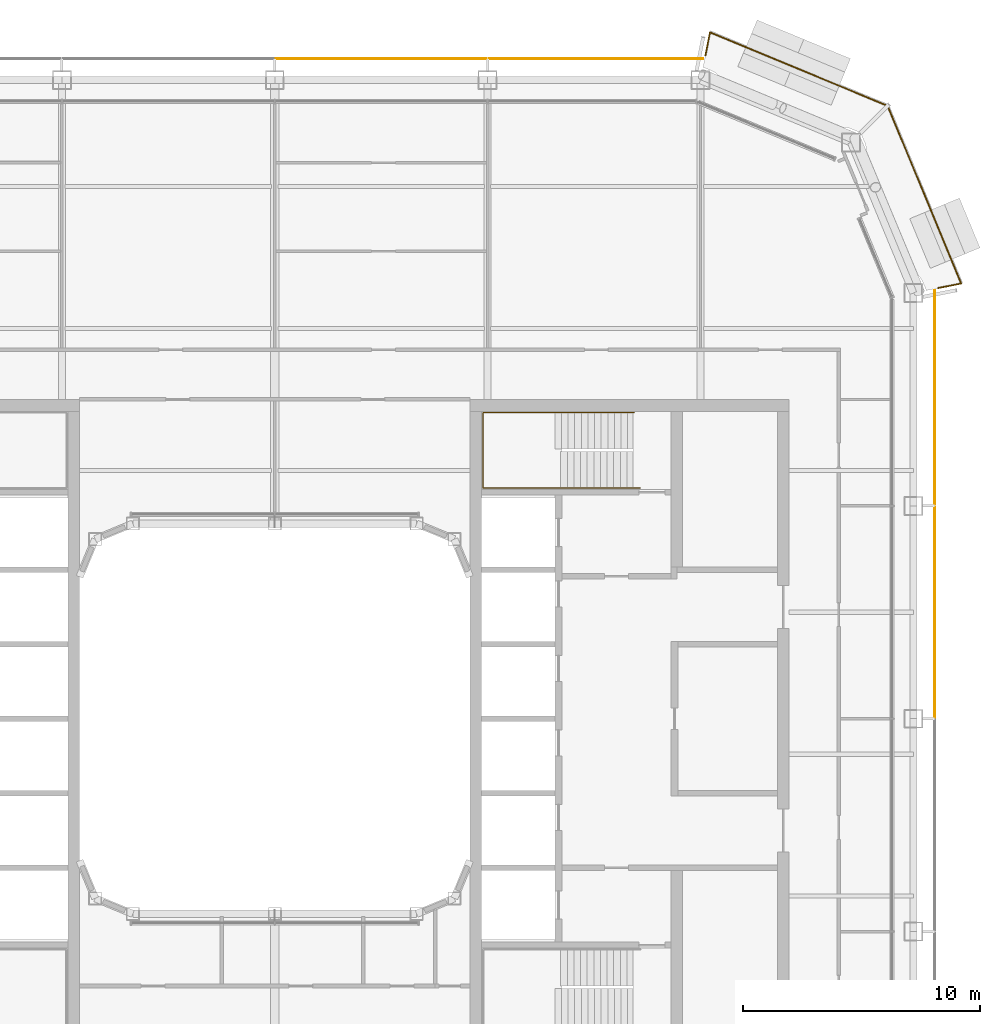
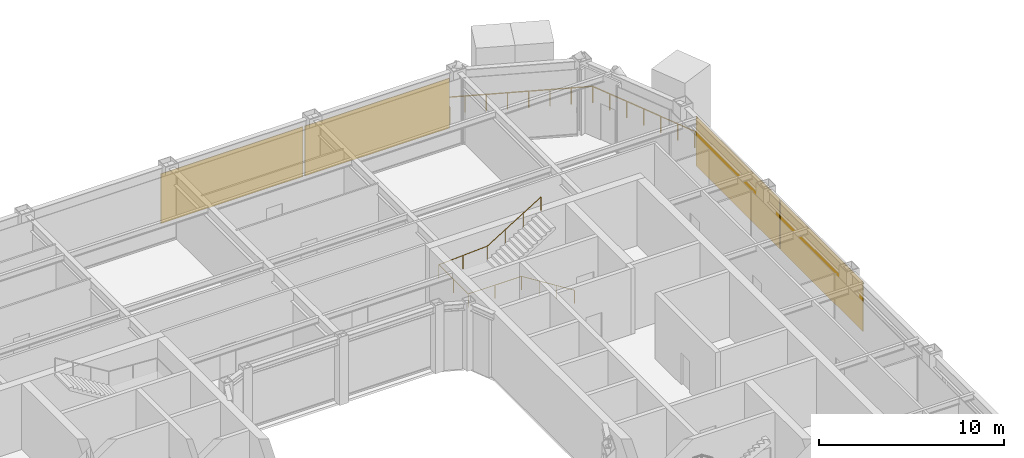
# One storey, part 22 of 23: 4 coverings, 2 railings.
"""IFC4 building model written with IfcOpenShell, lengths in metres."""

from ifc_helpers import new_model, si_unit, direction, frame, origin, origin_2d, place, context, subcontext, project, spatial, rectangle, circle, extrude, material, layer, layer_set, type_object, element, save


model = new_model("IFC4")

# Units and contexts
model_context = context("Model", 3, precision=1e-05, world=origin(), true_north=direction((0.0, 1.0)))
body_context = subcontext(model_context, "Body", "Model", "MODEL_VIEW")
ifc_project = project(units=[si_unit("LENGTHUNIT", "METRE"), si_unit("AREAUNIT", "SQUARE_METRE"), si_unit("VOLUMEUNIT", "CUBIC_METRE"), si_unit("PLANEANGLEUNIT", "RADIAN"), si_unit("MASSUNIT", "GRAM", prefix="KILO")], contexts=[model_context])

# Site, building, storey
site_placement = place(None, origin())
site = spatial("IfcSite", under=ifc_project, at=site_placement, CompositionType="ELEMENT")
building_placement = place(site_placement, origin())
building = spatial("IfcBuilding", under=site, at=building_placement, Name="Siwar Civic Tower", CompositionType="ELEMENT")
storey_placement = place(building_placement, frame((0.0, 0.0, 242.199951171875)))
storey = spatial("IfcBuildingStorey", under=building, at=storey_placement, Name="L52", CompositionType="ELEMENT", Elevation=242.199951171875)

# Railings
ifc_material_1 = material(Name="Stainless steel", Category="steel")
railing_type_1 = type_object("IfcRailingType", Name="CORE-STAIR-HANDRAIL", PredefinedType="HANDRAIL", material=ifc_material_1)
railing_1_placement = place(storey_placement, frame((15.449951171875, 9.758056640625, 0.173095703125)))
element("IfcRailing", 1, at=railing_1_placement, inside=storey, type_object=railing_type_1, Name="Stair handrail ST3", PredefinedType="HANDRAIL", context=body_context, shape_type="SweptSolid", body=[
    extrude(circle(Radius=0.02001953125, at=origin_2d()), frame((0.0, 0.0, 0.8798828125), z_axis=(-0.847063342986, 0.0, 0.531491950051), x_axis=(0.0, -1.0, 0.0)), (0.0, 0.0, 1.0), 3.90771484375),
    extrude(circle(Radius=0.02001953125, at=origin_2d()), frame((-3.31005859375, 0.0, 2.956787109375), z_axis=(-1.0, 0.0, 0.0), x_axis=(0.0, -1.0, 0.0)), (0.0, 0.0, 1.0), 3.331787109375),
    extrude(circle(Radius=0.02001953125, at=origin_2d()), frame((-6.641845703125, 0.0, 2.956787109375), z_axis=(0.0, 1.0, 0.0), x_axis=(-1.0, 0.0, 0.0)), (0.0, 0.0, 1.0), 3.183837890625),
    extrude(circle(Radius=0.02001953125, at=origin_2d()), frame((-6.641845703125, 3.183837890625, 2.956787109375), z_axis=(0.99837434197, 0.0, 0.056997134106), x_axis=(0.0, 1.0, 0.0)), (0.0, 0.0, 1.0), 3.036865234375),
    extrude(circle(Radius=0.02001953125, at=origin_2d()), frame((-3.60986328125, 3.183837890625, 3.1298828125), z_axis=(0.850606129759, 0.0, 0.525803396734), x_axis=(0.0, 1.0, 0.0)), (0.0, 0.0, 1.0), 3.949951171875),
    extrude(circle(Radius=0.02001953125, at=origin_2d()), origin(), (0.0, 0.0, 1.0), 0.85986328125),
    extrude(circle(Radius=0.02001953125, at=origin_2d()), frame((-1.103271484375, 0.0, 0.6923828125)), (0.0, 0.0, 1.0), 0.85986328125),
    extrude(circle(Radius=0.02001953125, at=origin_2d()), frame((-2.206787109375, 0.0, 1.384521484375)), (0.0, 0.0, 1.0), 0.85986328125),
    extrude(circle(Radius=0.02001953125, at=origin_2d()), frame((-3.31005859375, 0.0, 2.076904296875)), (0.0, 0.0, 1.0), 0.85986328125),
    extrude(circle(Radius=0.02001953125, at=origin_2d()), frame((-4.97607421875, 0.0, 2.076904296875)), (0.0, 0.0, 1.0), 0.85986328125),
    extrude(circle(Radius=0.02001953125, at=origin_2d()), frame((-6.641845703125, 0.0, 2.076904296875)), (0.0, 0.0, 1.0), 0.85986328125),
    extrude(circle(Radius=0.02001953125, at=origin_2d()), frame((-6.641845703125, 1.591796875, 2.076904296875)), (0.0, 0.0, 1.0), 0.85986328125),
    extrude(circle(Radius=0.02001953125, at=origin_2d()), frame((-6.641845703125, 3.183837890625, 2.076904296875)), (0.0, 0.0, 1.0), 0.85986328125),
    extrude(circle(Radius=0.02001953125, at=origin_2d()), frame((-5.1259765625, 3.183837890625, 2.16357421875)), (0.0, 0.0, 1.0), 0.85986328125),
    extrude(circle(Radius=0.02001953125, at=origin_2d()), frame((-3.60986328125, 3.183837890625, 2.25)), (0.0, 0.0, 1.0), 0.85986328125),
    extrude(circle(Radius=0.02001953125, at=origin_2d()), frame((-2.489990234375, 3.183837890625, 2.9423828125)), (0.0, 0.0, 1.0), 0.85986328125),
    extrude(circle(Radius=0.02001953125, at=origin_2d()), frame((-1.369873046875, 3.183837890625, 3.634521484375)), (0.0, 0.0, 1.0), 0.85986328125),
    extrude(circle(Radius=0.02001953125, at=origin_2d()), frame((-0.25, 3.183837890625, 4.326904296875)), (0.0, 0.0, 1.0), 0.85986328125),
])
ifc_material_2 = material(Name="Stainless steel 316", Category="steel")
railing_type_2 = type_object("IfcRailingType", Name="ENV-GUARD", PredefinedType="GUARDRAIL", material=ifc_material_2)
railing_2_placement = place(storey_placement, frame((28.047119140625, 18.208251953125, 0.0)))
element("IfcRailing", 2, at=railing_2_placement, inside=storey, type_object=railing_type_2, Name="Balcony guard NE", PredefinedType="GUARDRAIL", context=body_context, shape_type="SweptSolid", body=[
    extrude(circle(Radius=0.02392578125, at=origin_2d()), frame((0.0, 0.0, 1.076171875), z_axis=(0.980778661911, 0.195123592472, 0.0), x_axis=(-0.195123592472, 0.980778661911, 0.0)), (0.0, 0.0, 1.0), 0.993408203125),
    extrude(circle(Radius=0.02392578125, at=origin_2d()), frame((0.974365234375, 0.19384765625, 1.076171875), z_axis=(-0.382176720888, 0.924089256518, 0.0), x_axis=(-0.924089256518, -0.382176720888, 0.0)), (0.0, 0.0, 1.0), 8.129638671875),
    extrude(circle(Radius=0.02392578125, at=origin_2d()), frame((-2.132568359375, 7.706298828125, 1.076171875), z_axis=(-0.924089256518, 0.382176720888, 0.0), x_axis=(-0.382176720888, -0.924089256518, 0.0)), (0.0, 0.0, 1.0), 8.129638671875),
    extrude(circle(Radius=0.02392578125, at=origin_2d()), frame((-9.64501953125, 10.813232421875, 1.076171875), z_axis=(-0.195123592472, -0.980778661911, 0.0), x_axis=(0.980778661911, -0.195123592472, 0.0)), (0.0, 0.0, 1.0), 0.993408203125),
    extrude(circle(Radius=0.02099609375, at=origin_2d()), origin(), (0.0, 0.0, 1.0), 1.052001953125),
    extrude(circle(Radius=0.02099609375, at=origin_2d()), frame((0.974365234375, 0.19384765625, 0.0)), (0.0, 0.0, 1.0), 1.052001953125),
    extrude(circle(Radius=0.02099609375, at=origin_2d()), frame((0.530517578125, 1.26708984375, 0.0)), (0.0, 0.0, 1.0), 1.052001953125),
    extrude(circle(Radius=0.02099609375, at=origin_2d()), frame((0.086669921875, 2.34033203125, 0.0)), (0.0, 0.0, 1.0), 1.052001953125),
    extrude(circle(Radius=0.02099609375, at=origin_2d()), frame((-0.357177734375, 3.41357421875, 0.0)), (0.0, 0.0, 1.0), 1.052001953125),
    extrude(circle(Radius=0.02099609375, at=origin_2d()), frame((-0.801025390625, 4.486572265625, 0.0)), (0.0, 0.0, 1.0), 1.052001953125),
    extrude(circle(Radius=0.02099609375, at=origin_2d()), frame((-1.244873046875, 5.559814453125, 0.0)), (0.0, 0.0, 1.0), 1.052001953125),
    extrude(circle(Radius=0.02099609375, at=origin_2d()), frame((-1.688720703125, 6.633056640625, 0.0)), (0.0, 0.0, 1.0), 1.052001953125),
    extrude(circle(Radius=0.02099609375, at=origin_2d()), frame((-2.132568359375, 7.706298828125, 0.0)), (0.0, 0.0, 1.0), 1.052001953125),
    extrude(circle(Radius=0.02099609375, at=origin_2d()), frame((-3.205810546875, 8.150146484375, 0.0)), (0.0, 0.0, 1.0), 1.052001953125),
    extrude(circle(Radius=0.02099609375, at=origin_2d()), frame((-4.279052734375, 8.593994140625, 0.0)), (0.0, 0.0, 1.0), 1.052001953125),
    extrude(circle(Radius=0.02099609375, at=origin_2d()), frame((-5.352294921875, 9.037841796875, 0.0)), (0.0, 0.0, 1.0), 1.052001953125),
    extrude(circle(Radius=0.02099609375, at=origin_2d()), frame((-6.42529296875, 9.481689453125, 0.0)), (0.0, 0.0, 1.0), 1.052001953125),
    extrude(circle(Radius=0.02099609375, at=origin_2d()), frame((-7.49853515625, 9.925537109375, 0.0)), (0.0, 0.0, 1.0), 1.052001953125),
    extrude(circle(Radius=0.02099609375, at=origin_2d()), frame((-8.57177734375, 10.369384765625, 0.0)), (0.0, 0.0, 1.0), 1.052001953125),
    extrude(circle(Radius=0.02099609375, at=origin_2d()), frame((-9.64501953125, 10.813232421875, 0.0)), (0.0, 0.0, 1.0), 1.052001953125),
    extrude(circle(Radius=0.02099609375, at=origin_2d()), frame((-9.8388671875, 9.8388671875, 0.0)), (0.0, 0.0, 1.0), 1.052001953125),
])

# Coverings
ifc_material_3 = material(Name="Perforated aluminium cassette, pale metal", Category="aluminium")
ifc_layer = layer(ifc_material_3, 0.0400390625)
ifc_layer_set = layer_set([ifc_layer], Name="Perforated aluminium cassette, pale metal")
covering_type = type_object("IfcCoveringType", Name="ENV-OUTER SKIN OS-1", PredefinedType="CLADDING", material=ifc_layer_set)
covering_1_placement = place(storey_placement, frame((27.89990234375, 4.5, -0.14990234375), z_axis=(0.0, 0.0, 1.0), x_axis=(0.0, 1.0, 0.0)))
element("IfcCovering", 3, at=covering_1_placement, inside=storey, type_object=covering_type, Name="OUTER SKIN OS-1 E 3", PredefinedType="CLADDING", context=body_context, shape_type="SweptSolid", body=[
    extrude(rectangle(XDim=8.89990234375, YDim=0.0400390625, at=origin_2d()), origin(), (0.0, 0.0, 1.0), 3.300048828125),
])
for number, where, z_axis, x_axis, name in (
    (4, (27.89990234375, 13.57958984375, -0.14990234375), (0.0, 0.0, 1.0), (0.0, 1.0, 0.0), "OUTER SKIN OS-1 E 4"),
    (5, (13.57958984375, 27.89990234375, -0.14990234375), (0.0, 0.0, 1.0), (-1.0, 0.0, 0.0), "OUTER SKIN OS-1 N 1"),
):
    element("IfcCovering", number, at=place(storey_placement, frame(where, z_axis=z_axis, x_axis=x_axis)), inside=storey, type_object=covering_type, Name=name, PredefinedType="CLADDING", context=body_context, shape_type="SweptSolid", body=[
        extrude(rectangle(XDim=9.05908203125, YDim=0.0400390625, at=origin_2d()), origin(), (0.0, 0.0, 1.0), 3.300048828125),
    ])
covering_2_placement = place(storey_placement, frame((4.5, 27.89990234375, -0.14990234375), z_axis=(0.0, 0.0, 1.0), x_axis=(-1.0, 0.0, 0.0)))
element("IfcCovering", 6, at=covering_2_placement, inside=storey, type_object=covering_type, Name="OUTER SKIN OS-1 N 2", PredefinedType="CLADDING", context=body_context, shape_type="SweptSolid", body=[
    extrude(rectangle(XDim=8.89990234375, YDim=0.0400390625, at=origin_2d()), origin(), (0.0, 0.0, 1.0), 3.300048828125),
])

save(model, "model.ifc")
